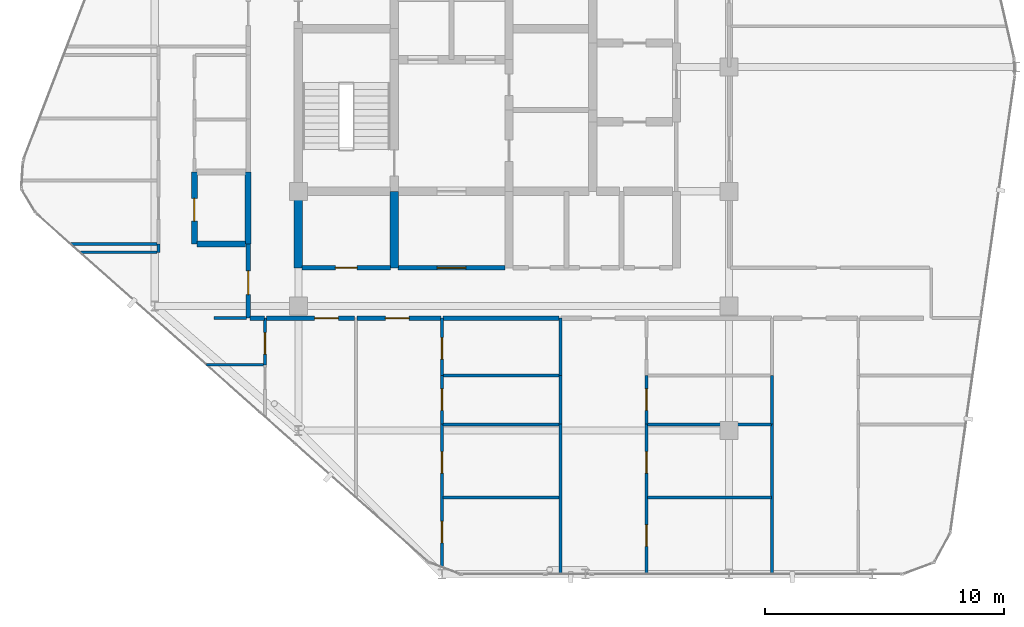
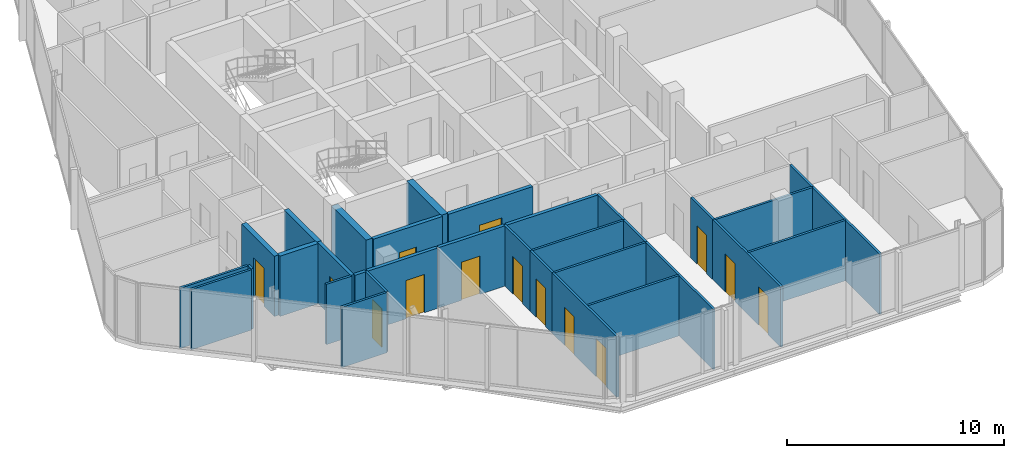
# One storey, part 22 of 28: 33 walls, 14 doors, 14 openings.
"""IFC4 building model written with IfcOpenShell, lengths in metres."""

import ifcopenshell
import ifcopenshell.guid

model = None  # the IFC model being written
_history = None  # IfcOwnerHistory: only IFC2X3 demands one
_inside = {}  # id of a spatial element -> (the spatial element, [elements in it])
_under = {}  # id of a project, library or spatial element -> (it, [spatial elements below it])
_declared = {}  # id of a project -> (the project, [libraries it declares])
_typed = {}  # id of a type object -> (the type object, [elements of that type])
_made_of = {}  # id of a material, layer set ... -> (it, [elements and type objects made of it])


def new_model(schema):
    """Start an empty IFC model of exactly this schema.

    Asked for "IFC4X3", IfcOpenShell would pick the latest addendum, in which some entities
    have other attributes; the version numbers below select the first issue.
    IFC2X3 requires an IfcOwnerHistory on every rooted entity: one is made here for all.
    """
    global model, _history
    if schema == "IFC4X3":
        model = ifcopenshell.file(schema_version=(4, 3, 0, 0))
    else:
        model = ifcopenshell.file(schema=schema)
    _inside.clear()
    _under.clear()
    _declared.clear()
    _typed.clear()
    _made_of.clear()
    _history = None
    if model.schema == "IFC2X3":
        org = make("IfcOrganization", Name="unknown")
        user = make(
            "IfcPersonAndOrganization",
            ThePerson=make("IfcPerson", FamilyName="unknown"),
            TheOrganization=org,
        )
        app = make(
            "IfcApplication",
            ApplicationDeveloper=org,
            Version="unknown",
            ApplicationFullName="unknown",
            ApplicationIdentifier="unknown",
        )
        _history = make(
            "IfcOwnerHistory",
            OwningUser=user,
            OwningApplication=app,
            ChangeAction="ADDED",
            CreationDate=0,
        )
    return model


def make(cls, **values):
    """One entity of the class cls with the attributes given. An attribute that is None is left unset."""
    return model.create_entity(
        cls, **{name: value for name, value in values.items() if value is not None}
    )


def rooted(cls, **values):
    """An entity with a GlobalId (a new one), such as an element, a storey or a relation."""
    return make(cls, GlobalId=ifcopenshell.guid.new(), OwnerHistory=_history, **values)


def si_unit(unit_type, name, prefix=None):
    """IfcSIUnit, for example si_unit("LENGTHUNIT", "METRE", prefix="MILLI")."""
    return make("IfcSIUnit", UnitType=unit_type, Prefix=prefix, Name=name)


def assignment(units):
    """IfcUnitAssignment: the units of a project."""
    return None if units is None else make("IfcUnitAssignment", Units=units)


def point(xyz):
    """IfcCartesianPoint."""
    return None if xyz is None else make("IfcCartesianPoint", Coordinates=xyz)


def direction(xyz):
    """IfcDirection."""
    return None if xyz is None else make("IfcDirection", DirectionRatios=xyz)


def frame(location, z_axis=None, x_axis=None):
    """IfcAxis2Placement3D, a coordinate frame: its origin and axes. An axis left out is left unset."""
    return make(
        "IfcAxis2Placement3D",
        Location=point(location),
        Axis=direction(z_axis),
        RefDirection=direction(x_axis),
    )


def frame_2d(location, x_axis=None):
    """IfcAxis2Placement2D, a coordinate frame in the plane: its origin and x axis."""
    return make(
        "IfcAxis2Placement2D", Location=point(location), RefDirection=direction(x_axis)
    )


def origin():
    """The frame at (0, 0, 0) with its axes left unset."""
    return frame((0.0, 0.0, 0.0))


def place(relative_to, where):
    """IfcLocalPlacement: puts the frame where relative to a parent placement (None: the world)."""
    return make(
        "IfcLocalPlacement", PlacementRelTo=relative_to, RelativePlacement=where
    )


def context(
    kind, dimensions, precision=None, world=None, true_north=None, identifier=None
):
    """IfcGeometricRepresentationContext, for example the 3D "Model" context."""
    return make(
        "IfcGeometricRepresentationContext",
        ContextIdentifier=identifier,
        ContextType=kind,
        CoordinateSpaceDimension=dimensions,
        Precision=precision,
        WorldCoordinateSystem=world,
        TrueNorth=true_north,
    )


def subcontext(parent, identifier, kind, view, scale=None):
    """IfcGeometricRepresentationSubContext, for example "Body" below "Model"."""
    return make(
        "IfcGeometricRepresentationSubContext",
        ContextIdentifier=identifier,
        ContextType=kind,
        ParentContext=parent,
        TargetScale=scale,
        TargetView=view,
    )


def project(units=None, contexts=None):
    """IfcProject with its units and contexts."""
    return rooted(
        "IfcProject",
        Name="project",
        RepresentationContexts=contexts,
        UnitsInContext=assignment(units),
    )


def spatial(cls, under=None, at=None, **own):
    """A site, building, storey or space (cls), placed at a placement, below another one or the project."""
    s = rooted(cls, ObjectPlacement=at, **own)
    if under is not None:
        _under.setdefault(under.id(), (under, []))[1].append(s)
    return s


def profile(cls, at=None, kind="AREA", **sizes):
    """A parametric profile (cls). Its sizes go by their IFC names, for example OverallWidth=200.0."""
    return make(cls, ProfileType=kind, Position=at, **sizes)


def rectangle(**sizes):
    """IfcRectangleProfileDef."""
    return profile("IfcRectangleProfileDef", **sizes)


def extrude(swept, where, along, depth):
    """IfcExtrudedAreaSolid: the profile swept, set in the frame where, extruded along a direction by depth."""
    return make(
        "IfcExtrudedAreaSolid",
        SweptArea=swept,
        Position=where,
        ExtrudedDirection=direction(along),
        Depth=depth,
    )


def shape(context_of_items, identifier, shape_type, items):
    """IfcShapeRepresentation: the items that make up one representation, for example the "Body"."""
    return make(
        "IfcShapeRepresentation",
        ContextOfItems=context_of_items,
        RepresentationIdentifier=identifier,
        RepresentationType=shape_type,
        Items=items,
    )


def material(Name=None, Category=None):
    """IfcMaterial."""
    return make("IfcMaterial", Name=Name, Category=Category)


def layer(
    of_material, thickness, ventilated=None, Name=None, Category=None, Priority=None
):
    """IfcMaterialLayer: one layer of a wall or slab, of a material (None: an air gap)."""
    return make(
        "IfcMaterialLayer",
        Material=of_material,
        LayerThickness=thickness,
        IsVentilated=ventilated,
        Name=Name,
        Category=Category,
        Priority=Priority,
    )


def layer_set(layers, Name=None):
    """IfcMaterialLayerSet."""
    return make("IfcMaterialLayerSet", MaterialLayers=layers, LayerSetName=Name)


def made_of(thing, what):
    """Note that an element or type object is made of a material, layer set ...; save() writes the relation."""
    if what is not None:
        _made_of.setdefault(what.id(), (what, []))[1].append(thing)
    return thing


def type_object(cls, material=None, **own):
    """A type object (cls), such as IfcWallType, which elements share."""
    return made_of(rooted(cls, **own), material)


def element(
    cls,
    number,
    at=None,
    inside=None,
    cuts=None,
    type_object=None,
    material=None,
    context=None,
    identifier="Body",
    shape_type=None,
    held_by="IfcProductDefinitionShape",
    body=None,
    shapes=None,
    **own,
):
    """One element of the class cls, such as IfcWall. Its Tag is "e" and its number.

    at: its placement. inside: the storey or other place that contains it. cuts: it is an
    opening in that element (IfcRelVoidsElement). A single representation is given by context,
    identifier, shape_type and body (its items); several are given by shapes. held_by: the class
    of the entity that holds the representations. save() writes the other relations.
    """
    e = rooted(cls, Tag="e%d" % number, ObjectPlacement=at, **own)
    if body is not None:
        shapes = [shape(context, identifier, shape_type, body)]
    if shapes is not None:
        e.Representation = make(held_by, Representations=shapes)
    if inside is not None:
        _inside.setdefault(inside.id(), (inside, []))[1].append(e)
    if cuts is not None:
        rooted(
            "IfcRelVoidsElement", RelatingBuildingElement=cuts, RelatedOpeningElement=e
        )
    if type_object is not None:
        _typed.setdefault(type_object.id(), (type_object, []))[1].append(e)
    return made_of(e, material)


def fill(opening, filler):
    """IfcRelFillsElement: the door or window that sits in an opening."""
    return rooted(
        "IfcRelFillsElement",
        RelatingOpeningElement=opening,
        RelatedBuildingElement=filler,
    )


def aggregate(whole, parts):
    """IfcRelAggregates: a whole, such as a stair, and the parts it consists of."""
    return rooted("IfcRelAggregates", RelatingObject=whole, RelatedObjects=parts)


def save(model, path):
    """Write the relations noted so far, then the file.

    IfcRelAggregates (storeys below a building ...), IfcRelContainedInSpatialStructure (elements
    in a storey), IfcRelDefinesByType, IfcRelAssociatesMaterial and IfcRelDeclares: one each for
    every whole, place, type object, material and project.
    """
    for whole, parts in _under.values():
        aggregate(whole, parts)
    for where, things in _inside.values():
        rooted(
            "IfcRelContainedInSpatialStructure",
            RelatedElements=things,
            RelatingStructure=where,
        )
    for kind, things in _typed.values():
        rooted("IfcRelDefinesByType", RelatedObjects=things, RelatingType=kind)
    for what, things in _made_of.values():
        rooted("IfcRelAssociatesMaterial", RelatedObjects=things, RelatingMaterial=what)
    for by, libraries in _declared.values():
        rooted("IfcRelDeclares", RelatingContext=by, RelatedDefinitions=libraries)
    model.write(path)


model = new_model("IFC4")

# Units and contexts
model_context = context("Model", 3, precision=1e-05, world=origin(), true_north=direction((0.0, 1.0)))
body_context = subcontext(model_context, "Body", "Model", "MODEL_VIEW")
ifc_project = project(units=[si_unit("LENGTHUNIT", "METRE"), si_unit("AREAUNIT", "SQUARE_METRE"), si_unit("VOLUMEUNIT", "CUBIC_METRE"), si_unit("PLANEANGLEUNIT", "RADIAN"), si_unit("MASSUNIT", "GRAM", prefix="KILO")], contexts=[model_context])

# Site, building, storey
site_placement = place(None, origin())
site = spatial("IfcSite", under=ifc_project, at=site_placement, CompositionType="ELEMENT")
building_placement = place(site_placement, origin())
building = spatial("IfcBuilding", under=site, at=building_placement, Name="Keshet Zoharim Tower", CompositionType="ELEMENT")
storey_placement = place(building_placement, frame((0.0, 0.0, 251.0)))
storey = spatial("IfcBuildingStorey", under=building, at=storey_placement, Name="L62", CompositionType="ELEMENT", Elevation=251.0)

# Walls
ifc_material_1 = material(Name="Concrete C60/75", Category="concrete")
ifc_layer_1 = layer(ifc_material_1, 0.35009765625)
ifc_layer_set_1 = layer_set([ifc_layer_1], Name="Concrete C60/75")
wall_type_1 = type_object("IfcWallType", Name="WL-CORE-350", PredefinedType="SHEAR", material=ifc_layer_set_1)
for number, where, z_axis, x_axis, name in (
    (1, (15.0, 19.5, 0.0), (0.0, 0.0, 1.0), (0.0, 1.0, 0.0), "L62 Core Shear Wall 020"),
    (2, (19.0, 19.5, 0.0), (0.0, 0.0, 1.0), (0.0, 1.0, 0.0), "L62 Core Shear Wall 027"),
):
    element("IfcWall", number, at=place(storey_placement, frame(where, z_axis=z_axis, x_axis=x_axis)), inside=storey, type_object=wall_type_1, Name=name, PredefinedType="SHEAR", context=body_context, shape_type="SweptSolid", body=[
        extrude(rectangle(XDim=3.199951171875, YDim=0.35009765625, at=frame_2d((1.60009765625, 0.0))), origin(), (0.0, 0.0, 1.0), 3.389892578125),
    ])

# Wall, opening, door
ifc_material_2 = material(Name="Gypsum Plasterboard", Category="gypsum")
ifc_layer_2 = layer(ifc_material_2, 0.179931640625)
ifc_layer_set_2 = layer_set([ifc_layer_2], Name="Gypsum Plasterboard")
wall_type_2 = type_object("IfcWallType", Name="WL-CORR-180", PredefinedType="STANDARD", material=ifc_layer_set_2)
wall_1_placement = place(storey_placement, frame((12.89990234375, 17.39990234375, 0.0), z_axis=(0.0, 0.0, 1.0), x_axis=(0.0, 1.0, 0.0)))
wall_1 = element("IfcWall", 3, at=wall_1_placement, inside=storey, type_object=wall_type_2, Name="L62 Interior Wall 010", PredefinedType="STANDARD", context=body_context, shape_type="SweptSolid", body=[
    extrude(rectangle(XDim=3.10009765625, YDim=0.179931640625, at=frame_2d((1.550048828125, 0.0))), origin(), (0.0, 0.0, 1.0), 3.389892578125),
])
opening_1_placement = place(wall_1_placement, frame((0.97802734375, 0.0, 0.0)))
opening_1 = element("IfcOpeningElement", 4, at=opening_1_placement, cuts=wall_1, Name="Opening D-F310", PredefinedType="OPENING", context=body_context, shape_type="SweptSolid", body=[
    extrude(rectangle(XDim=1.0, YDim=2.14990234375, at=frame_2d((0.5, 1.074951171875))), frame((0.0, 0.10009765625, 0.0), z_axis=(0.0, -1.0, 0.0), x_axis=(1.0, 0.0, 0.0)), (0.0, 0.0, 1.0), 0.199951171875),
])
ifc_material_3 = material(Name="Hardwood Timber", Category="wood")
door_type_1 = type_object("IfcDoorType", Name="DR-FD30-100", OperationType="NOTDEFINED", PredefinedType="DOOR", material=ifc_material_3)
door_1_placement = place(opening_1_placement, origin())
door_1 = element("IfcDoor", 5, at=door_1_placement, inside=storey, type_object=door_type_1, Name="Apartment 6207 Entrance Door", OperationType="SINGLE_SWING_RIGHT", OverallHeight=2.14990234375, OverallWidth=1.0, PredefinedType="DOOR", context=body_context, shape_type="SweptSolid", body=[
    extrude(rectangle(XDim=1.0, YDim=2.14990234375, at=frame_2d((0.5, 1.074951171875))), frame((0.0, 0.02490234375, 0.0), z_axis=(0.0, -1.0, 0.0), x_axis=(1.0, 0.0, 0.0)), (0.0, 0.0, 1.0), 0.050048828125),
])
fill(opening_1, door_1)

# Wall
wall_2_placement = place(storey_placement, frame((12.97509765625, 17.39990234375, 0.0), z_axis=(0.0, 0.0, 1.0), x_axis=(1.0, 0.0, 0.0)))
element("IfcWall", 6, at=wall_2_placement, inside=storey, type_object=wall_type_2, Name="L62 Interior Wall 106", PredefinedType="STANDARD", context=body_context, shape_type="SweptSolid", body=[
    extrude(rectangle(XDim=0.599853515625, YDim=0.179931640625, at=frame_2d((0.2998046875, 0.0))), origin(), (0.0, 0.0, 1.0), 3.389892578125),
])

# Wall, opening, door
wall_3_placement = place(storey_placement, frame((13.6650390625, 17.39990234375, 0.0), z_axis=(0.0, 0.0, 1.0), x_axis=(1.0, 0.0, 0.0)))
wall_3 = element("IfcWall", 7, at=wall_3_placement, inside=storey, type_object=wall_type_2, Name="L62 Interior Wall 107", PredefinedType="STANDARD", context=body_context, shape_type="SweptSolid", body=[
    extrude(rectangle(XDim=3.68994140625, YDim=0.179931640625, at=frame_2d((1.844970703125, 0.0))), origin(), (0.0, 0.0, 1.0), 3.389892578125),
])
opening_2_placement = place(wall_3_placement, frame((2.010009765625, 0.0, 0.0)))
opening_2 = element("IfcOpeningElement", 8, at=opening_2_placement, cuts=wall_3, Name="Opening D-F310", PredefinedType="OPENING", context=body_context, shape_type="SweptSolid", body=[
    extrude(rectangle(XDim=1.0, YDim=2.14990234375, at=frame_2d((0.5, 1.074951171875))), frame((0.0, 0.10009765625, 0.0), z_axis=(0.0, -1.0, 0.0), x_axis=(1.0, 0.0, 0.0)), (0.0, 0.0, 1.0), 0.199951171875),
])
door_2_placement = place(opening_2_placement, origin())
door_2 = element("IfcDoor", 9, at=door_2_placement, inside=storey, type_object=door_type_1, Name="Apartment 6201 Entrance Door", OperationType="SINGLE_SWING_RIGHT", OverallHeight=2.14990234375, OverallWidth=1.0, PredefinedType="DOOR", context=body_context, shape_type="SweptSolid", body=[
    extrude(rectangle(XDim=1.0, YDim=2.14990234375, at=frame_2d((0.5, 1.074951171875))), frame((0.0, 0.02490234375, 0.0), z_axis=(0.0, -1.0, 0.0), x_axis=(1.0, 0.0, 0.0)), (0.0, 0.0, 1.0), 0.050048828125),
])
fill(opening_2, door_2)

wall_4_placement = place(storey_placement, frame((17.445068359375, 17.39990234375, 0.0), z_axis=(0.0, 0.0, 1.0), x_axis=(1.0, 0.0, 0.0)))
wall_4 = element("IfcWall", 10, at=wall_4_placement, inside=storey, type_object=wall_type_2, Name="L62 Interior Wall 108", PredefinedType="STANDARD", context=body_context, shape_type="SweptSolid", body=[
    extrude(rectangle(XDim=3.510009765625, YDim=0.179931640625, at=frame_2d((1.7548828125, 0.0))), origin(), (0.0, 0.0, 1.0), 3.389892578125),
])
opening_3_placement = place(wall_4_placement, frame((1.18505859375, 0.0, 0.0)))
opening_3 = element("IfcOpeningElement", 11, at=opening_3_placement, cuts=wall_4, Name="Opening D-F310", PredefinedType="OPENING", context=body_context, shape_type="SweptSolid", body=[
    extrude(rectangle(XDim=1.0, YDim=2.14990234375, at=frame_2d((0.5, 1.074951171875))), frame((0.0, 0.10009765625, 0.0), z_axis=(0.0, -1.0, 0.0), x_axis=(1.0, 0.0, 0.0)), (0.0, 0.0, 1.0), 0.199951171875),
])
door_3_placement = place(opening_3_placement, origin())
door_3 = element("IfcDoor", 12, at=door_3_placement, inside=storey, type_object=door_type_1, Name="Apartment 6202 Entrance Door", OperationType="SINGLE_SWING_LEFT", OverallHeight=2.14990234375, OverallWidth=1.0, PredefinedType="DOOR", context=body_context, shape_type="SweptSolid", body=[
    extrude(rectangle(XDim=1.0, YDim=2.14990234375, at=frame_2d((0.5, 1.074951171875))), frame((0.0, 0.02490234375, 0.0), z_axis=(0.0, -1.0, 0.0), x_axis=(1.0, 0.0, 0.0)), (0.0, 0.0, 1.0), 0.050048828125),
])
fill(opening_3, door_3)

# Wall
wall_5_placement = place(storey_placement, frame((21.044921875, 17.39990234375, 0.0), z_axis=(0.0, 0.0, 1.0), x_axis=(1.0, 0.0, 0.0)))
element("IfcWall", 13, at=wall_5_placement, inside=storey, type_object=wall_type_2, Name="L62 Interior Wall 109", PredefinedType="STANDARD", context=body_context, shape_type="SweptSolid", body=[
    extrude(rectangle(XDim=4.85009765625, YDim=0.179931640625, at=frame_2d((2.425048828125, 0.0))), origin(), (0.0, 0.0, 1.0), 3.389892578125),
])

# Wall, opening, door
ifc_material_4 = material(Name="Concrete C50/60", Category="concrete")
ifc_layer_3 = layer(ifc_material_4, 0.199951171875)
ifc_layer_set_3 = layer_set([ifc_layer_3], Name="Concrete C50/60")
wall_type_3 = type_object("IfcWallType", Name="WL-FIRE-200", PredefinedType="STANDARD", material=ifc_layer_set_3)
wall_6_placement = place(storey_placement, frame((15.159912109375, 19.5, 0.0), z_axis=(0.0, 0.0, 1.0), x_axis=(1.0, 0.0, 0.0)))
wall_6 = element("IfcWall", 14, at=wall_6_placement, inside=storey, type_object=wall_type_3, Name="L62 Interior Wall 115", PredefinedType="STANDARD", context=body_context, shape_type="SweptSolid", body=[
    extrude(rectangle(XDim=3.68017578125, YDim=0.199951171875, at=frame_2d((1.840087890625, 0.0))), origin(), (0.0, 0.0, 1.0), 3.389892578125),
])
opening_4_placement = place(wall_6_placement, frame((1.389892578125, 0.0, 0.0)))
opening_4 = element("IfcOpeningElement", 15, at=opening_4_placement, cuts=wall_6, Name="Opening D-F690", PredefinedType="OPENING", context=body_context, shape_type="SweptSolid", body=[
    extrude(rectangle(XDim=0.89990234375, YDim=2.14990234375, at=frame_2d((0.449951171875, 1.074951171875))), frame((0.0, 0.10986328125, 0.0), z_axis=(0.0, -1.0, 0.0), x_axis=(1.0, 0.0, 0.0)), (0.0, 0.0, 1.0), 0.219970703125),
])
door_type_2 = type_object("IfcDoorType", Name="DR-FD60-090", OperationType="NOTDEFINED", PredefinedType="DOOR", material=ifc_material_3)
door_4_placement = place(opening_4_placement, origin())
door_4 = element("IfcDoor", 16, at=door_4_placement, inside=storey, type_object=door_type_2, Name="L62 Pram Store Door", OperationType="SINGLE_SWING_RIGHT", OverallHeight=2.14990234375, OverallWidth=0.89990234375, PredefinedType="DOOR", context=body_context, shape_type="SweptSolid", body=[
    extrude(rectangle(XDim=0.89990234375, YDim=2.14990234375, at=frame_2d((0.449951171875, 1.074951171875))), frame((0.0, 0.02490234375, 0.0), z_axis=(0.0, -1.0, 0.0), x_axis=(1.0, 0.0, 0.0)), (0.0, 0.0, 1.0), 0.050048828125),
])
fill(opening_4, door_4)

wall_7_placement = place(storey_placement, frame((19.159912109375, 19.5, 0.0), z_axis=(0.0, 0.0, 1.0), x_axis=(1.0, 0.0, 0.0)))
wall_7 = element("IfcWall", 17, at=wall_7_placement, inside=storey, type_object=wall_type_3, Name="L62 Interior Wall 116", PredefinedType="STANDARD", context=body_context, shape_type="SweptSolid", body=[
    extrude(rectangle(XDim=4.47998046875, YDim=0.199951171875, at=frame_2d((2.239990234375, 0.0))), origin(), (0.0, 0.0, 1.0), 3.389892578125),
])
opening_5_placement = place(wall_7_placement, frame((1.639892578125, 0.0, 0.0)))
opening_5 = element("IfcOpeningElement", 18, at=opening_5_placement, cuts=wall_7, Name="Opening D-F612", PredefinedType="OPENING", context=body_context, shape_type="SweptSolid", body=[
    extrude(rectangle(XDim=1.199951171875, YDim=2.199951171875, at=frame_2d((0.60009765625, 1.10009765625))), frame((0.0, 0.10986328125, 0.0), z_axis=(0.0, -1.0, 0.0), x_axis=(1.0, 0.0, 0.0)), (0.0, 0.0, 1.0), 0.219970703125),
])
door_type_3 = type_object("IfcDoorType", Name="DR-FD60-120", OperationType="NOTDEFINED", PredefinedType="DOOR", material=ifc_material_3)
door_5_placement = place(opening_5_placement, origin())
door_5 = element("IfcDoor", 19, at=door_5_placement, inside=storey, type_object=door_type_3, Name="L62 South Vestibule Corridor Door", OperationType="SINGLE_SWING_LEFT", OverallHeight=2.199951171875, OverallWidth=1.199951171875, PredefinedType="DOOR", context=body_context, shape_type="SweptSolid", body=[
    extrude(rectangle(XDim=1.199951171875, YDim=2.199951171875, at=frame_2d((0.60009765625, 1.10009765625))), frame((0.0, 0.02490234375, 0.0), z_axis=(0.0, -1.0, 0.0), x_axis=(1.0, 0.0, 0.0)), (0.0, 0.0, 1.0), 0.050048828125),
])
fill(opening_5, door_5)

ifc_layer_4 = layer(ifc_material_4, 0.25)
ifc_layer_set_4 = layer_set([ifc_layer_4], Name="Concrete C50/60")
wall_type_4 = type_object("IfcWallType", Name="WL-MAMAD-250", PredefinedType="STANDARD", material=ifc_layer_set_4)
wall_8_placement = place(storey_placement, frame((10.64990234375, 20.5, 0.0), z_axis=(0.0, 0.0, 1.0), x_axis=(0.0, 1.0, 0.0)))
wall_8 = element("IfcWall", 20, at=wall_8_placement, inside=storey, type_object=wall_type_4, Name="L62 Interior Wall 006", PredefinedType="STANDARD", context=body_context, shape_type="SweptSolid", body=[
    extrude(rectangle(XDim=3.001953125, YDim=0.25, at=frame_2d((1.5009765625, 0.0))), origin(), (0.0, 0.0, 1.0), 3.389892578125),
])
opening_6_placement = place(wall_8_placement, frame((0.9560546875, 0.0, 0.0)))
opening_6 = element("IfcOpeningElement", 21, at=opening_6_placement, cuts=wall_8, Name="Opening D-F695", PredefinedType="OPENING", context=body_context, shape_type="SweptSolid", body=[
    extrude(rectangle(XDim=0.949951171875, YDim=2.14990234375, at=frame_2d((0.47509765625, 1.074951171875))), frame((0.0, 0.135009765625, 0.0), z_axis=(0.0, -1.0, 0.0), x_axis=(1.0, 0.0, 0.0)), (0.0, 0.0, 1.0), 0.27001953125),
])
door_type_4 = type_object("IfcDoorType", Name="DR-FD60-095", OperationType="NOTDEFINED", PredefinedType="DOOR", material=ifc_material_3)
door_6_placement = place(opening_6_placement, origin())
door_6 = element("IfcDoor", 22, at=door_6_placement, inside=storey, type_object=door_type_4, Name="Apartment 6207 Study and Shelter Room Door", OperationType="SINGLE_SWING_LEFT", OverallHeight=2.14990234375, OverallWidth=0.949951171875, PredefinedType="DOOR", context=body_context, shape_type="SweptSolid", body=[
    extrude(rectangle(XDim=0.949951171875, YDim=2.14990234375, at=frame_2d((0.47509765625, 1.074951171875))), frame((0.0, 0.02490234375, 0.0), z_axis=(0.0, -1.0, 0.0), x_axis=(1.0, 0.0, 0.0)), (0.0, 0.0, 1.0), 0.050048828125),
])
fill(opening_6, door_6)

# Walls
wall_9_placement = place(storey_placement, frame((12.89990234375, 20.5, 0.0), z_axis=(0.0, 0.0, 1.0), x_axis=(0.0, 1.0, 0.0)))
element("IfcWall", 23, at=wall_9_placement, inside=storey, type_object=wall_type_4, Name="L62 Interior Wall 011", PredefinedType="STANDARD", context=body_context, shape_type="SweptSolid", body=[
    extrude(rectangle(XDim=3.001953125, YDim=0.25, at=frame_2d((1.5009765625, 0.0))), origin(), (0.0, 0.0, 1.0), 3.389892578125),
])
wall_10_placement = place(storey_placement, frame((10.760009765625, 20.5, 0.0), z_axis=(0.0, 0.0, 1.0), x_axis=(1.0, 0.0, 0.0)))
element("IfcWall", 24, at=wall_10_placement, inside=storey, type_object=wall_type_4, Name="L62 Interior Wall 122", PredefinedType="STANDARD", context=body_context, shape_type="SweptSolid", body=[
    extrude(rectangle(XDim=2.030029296875, YDim=0.25, at=frame_2d((1.01513671875, 0.0))), origin(), (0.0, 0.0, 1.0), 3.389892578125),
])
ifc_layer_5 = layer(ifc_material_2, 0.1201171875)
ifc_layer_set_5 = layer_set([ifc_layer_5], Name="Gypsum Plasterboard")
wall_type_5 = type_object("IfcWallType", Name="WL-PART-120", PredefinedType="PARTITIONING", material=ifc_layer_set_5)
wall_11_placement = place(storey_placement, frame((9.14990234375, 20.14990234375, 0.0), z_axis=(0.0, 0.0, 1.0), x_axis=(0.0, 1.0, 0.0)))
element("IfcWall", 25, at=wall_11_placement, inside=storey, type_object=wall_type_5, Name="L62 Interior Wall 002", PredefinedType="PARTITIONING", context=body_context, shape_type="SweptSolid", body=[
    extrude(rectangle(XDim=0.35009765625, YDim=0.1201171875, at=frame_2d((0.175048828125, 0.0))), origin(), (0.0, 0.0, 1.0), 3.389892578125),
])

# Wall, opening, door
wall_12_placement = place(storey_placement, frame((13.60009765625, 15.449951171875, 0.0), z_axis=(0.0, 0.0, 1.0), x_axis=(0.0, 1.0, 0.0)))
wall_12 = element("IfcWall", 26, at=wall_12_placement, inside=storey, type_object=wall_type_5, Name="L62 Interior Wall 018", PredefinedType="PARTITIONING", context=body_context, shape_type="SweptSolid", body=[
    extrude(rectangle(XDim=1.949951171875, YDim=0.1201171875, at=frame_2d((0.97509765625, 0.0))), origin(), (0.0, 0.0, 1.0), 3.389892578125),
])
opening_7_placement = place(wall_12_placement, frame((0.44189453125, 0.0, 0.0)))
opening_7 = element("IfcOpeningElement", 27, at=opening_7_placement, cuts=wall_12, Name="Opening D-IN90", PredefinedType="OPENING", context=body_context, shape_type="SweptSolid", body=[
    extrude(rectangle(XDim=0.89990234375, YDim=2.14990234375, at=frame_2d((0.449951171875, 1.074951171875))), frame((0.0, 0.070068359375, 0.0), z_axis=(0.0, -1.0, 0.0), x_axis=(1.0, 0.0, 0.0)), (0.0, 0.0, 1.0), 0.14013671875),
])
door_type_5 = type_object("IfcDoorType", Name="DR-INT-090", OperationType="NOTDEFINED", PredefinedType="DOOR", material=ifc_material_3)
door_7_placement = place(opening_7_placement, origin())
door_7 = element("IfcDoor", 28, at=door_7_placement, inside=storey, type_object=door_type_5, Name="Apartment 6201 Kitchenette Door", OperationType="SINGLE_SWING_LEFT", OverallHeight=2.14990234375, OverallWidth=0.89990234375, PredefinedType="DOOR", context=body_context, shape_type="SweptSolid", body=[
    extrude(rectangle(XDim=0.89990234375, YDim=2.14990234375, at=frame_2d((0.449951171875, 1.074951171875))), frame((0.0, 0.02490234375, 0.0), z_axis=(0.0, -1.0, 0.0), x_axis=(1.0, 0.0, 0.0)), (0.0, 0.0, 1.0), 0.050048828125),
])
fill(opening_7, door_7)

# Wall, openings, doors
wall_13_placement = place(storey_placement, frame((21.0, 6.9990234375, 0.0), z_axis=(0.0, 0.0, 1.0), x_axis=(0.0, 1.0, 0.0)))
wall_13 = element("IfcWall", 29, at=wall_13_placement, inside=storey, type_object=wall_type_5, Name="L62 Interior Wall 035", PredefinedType="PARTITIONING", context=body_context, shape_type="SweptSolid", body=[
    extrude(rectangle(XDim=5.970947265625, YDim=0.1201171875, at=frame_2d((2.9853515625, 0.0))), origin(), (0.0, 0.0, 1.0), 3.389892578125),
])
opening_8_placement = place(wall_13_placement, frame((1.008056640625, 0.0, 0.0)))
opening_8 = element("IfcOpeningElement", 30, at=opening_8_placement, cuts=wall_13, Name="Opening D-IN90", PredefinedType="OPENING", context=body_context, shape_type="SweptSolid", body=[
    extrude(rectangle(XDim=0.89990234375, YDim=2.14990234375, at=frame_2d((0.449951171875, 1.074951171875))), frame((0.0, 0.070068359375, 0.0), z_axis=(0.0, -1.0, 0.0), x_axis=(1.0, 0.0, 0.0)), (0.0, 0.0, 1.0), 0.14013671875),
])
opening_9_placement = place(wall_13_placement, frame((3.91796875, 0.0, 0.0)))
opening_9 = element("IfcOpeningElement", 31, at=opening_9_placement, cuts=wall_13, Name="Opening D-IN90", PredefinedType="OPENING", context=body_context, shape_type="SweptSolid", body=[
    extrude(rectangle(XDim=0.89990234375, YDim=2.14990234375, at=frame_2d((0.449951171875, 1.074951171875))), frame((0.0, 0.070068359375, 0.0), z_axis=(0.0, -1.0, 0.0), x_axis=(1.0, 0.0, 0.0)), (0.0, 0.0, 1.0), 0.14013671875),
])
door_8_placement = place(opening_8_placement, origin())
door_8 = element("IfcDoor", 32, at=door_8_placement, inside=storey, type_object=door_type_5, Name="Apartment 6202 Bedroom 1 Door", OperationType="SINGLE_SWING_LEFT", OverallHeight=2.14990234375, OverallWidth=0.89990234375, PredefinedType="DOOR", context=body_context, shape_type="SweptSolid", body=[
    extrude(rectangle(XDim=0.89990234375, YDim=2.14990234375, at=frame_2d((0.449951171875, 1.074951171875))), frame((0.0, 0.02490234375, 0.0), z_axis=(0.0, -1.0, 0.0), x_axis=(1.0, 0.0, 0.0)), (0.0, 0.0, 1.0), 0.050048828125),
])
fill(opening_8, door_8)
door_9_placement = place(opening_9_placement, origin())
door_9 = element("IfcDoor", 33, at=door_9_placement, inside=storey, type_object=door_type_5, Name="Apartment 6202 Bedroom 2 Door", OperationType="SINGLE_SWING_RIGHT", OverallHeight=2.14990234375, OverallWidth=0.89990234375, PredefinedType="DOOR", context=body_context, shape_type="SweptSolid", body=[
    extrude(rectangle(XDim=0.89990234375, YDim=2.14990234375, at=frame_2d((0.449951171875, 1.074951171875))), frame((0.0, 0.02490234375, 0.0), z_axis=(0.0, -1.0, 0.0), x_axis=(1.0, 0.0, 0.0)), (0.0, 0.0, 1.0), 0.050048828125),
])
fill(opening_9, door_9)

# Wall, opening, door
wall_14_placement = place(storey_placement, frame((21.0, 12.969970703125, 0.0), z_axis=(0.0, 0.0, 1.0), x_axis=(0.0, 1.0, 0.0)))
wall_14 = element("IfcWall", 34, at=wall_14_placement, inside=storey, type_object=wall_type_5, Name="L62 Interior Wall 036", PredefinedType="PARTITIONING", context=body_context, shape_type="SweptSolid", body=[
    extrude(rectangle(XDim=2.0380859375, YDim=0.1201171875, at=frame_2d((1.01904296875, 0.0))), origin(), (0.0, 0.0, 1.0), 3.389892578125),
])
opening_10_placement = place(wall_14_placement, frame((0.569091796875, 0.0, 0.0)))
opening_10 = element("IfcOpeningElement", 35, at=opening_10_placement, cuts=wall_14, Name="Opening D-IN90", PredefinedType="OPENING", context=body_context, shape_type="SweptSolid", body=[
    extrude(rectangle(XDim=0.89990234375, YDim=2.14990234375, at=frame_2d((0.449951171875, 1.074951171875))), frame((0.0, 0.070068359375, 0.0), z_axis=(0.0, -1.0, 0.0), x_axis=(1.0, 0.0, 0.0)), (0.0, 0.0, 1.0), 0.14013671875),
])
door_10_placement = place(opening_10_placement, origin())
door_10 = element("IfcDoor", 36, at=door_10_placement, inside=storey, type_object=door_type_5, Name="Apartment 6202 Kitchen Door", OperationType="SINGLE_SWING_LEFT", OverallHeight=2.14990234375, OverallWidth=0.89990234375, PredefinedType="DOOR", context=body_context, shape_type="SweptSolid", body=[
    extrude(rectangle(XDim=0.89990234375, YDim=2.14990234375, at=frame_2d((0.449951171875, 1.074951171875))), frame((0.0, 0.02490234375, 0.0), z_axis=(0.0, -1.0, 0.0), x_axis=(1.0, 0.0, 0.0)), (0.0, 0.0, 1.0), 0.050048828125),
])
fill(opening_10, door_10)

# Walls
wall_15_placement = place(storey_placement, frame((25.949951171875, 6.7099609375, 0.0), z_axis=(0.0, 0.0, 1.0), x_axis=(0.0, 1.0, 0.0)))
element("IfcWall", 37, at=wall_15_placement, inside=storey, type_object=wall_type_5, Name="L62 Interior Wall 050", PredefinedType="PARTITIONING", context=body_context, shape_type="SweptSolid", body=[
    extrude(rectangle(XDim=6.260009765625, YDim=0.1201171875, at=frame_2d((3.1298828125, 0.0))), origin(), (0.0, 0.0, 1.0), 3.389892578125),
])
wall_16_placement = place(storey_placement, frame((25.949951171875, 12.969970703125, 0.0), z_axis=(0.0, 0.0, 1.0), x_axis=(0.0, 1.0, 0.0)))
element("IfcWall", 38, at=wall_16_placement, inside=storey, type_object=wall_type_5, Name="L62 Interior Wall 051", PredefinedType="PARTITIONING", context=body_context, shape_type="SweptSolid", body=[
    extrude(rectangle(XDim=2.0380859375, YDim=0.1201171875, at=frame_2d((1.01904296875, 0.0))), origin(), (0.0, 0.0, 1.0), 3.389892578125),
])

# Wall, openings, doors
wall_17_placement = place(storey_placement, frame((29.550048828125, 6.7099609375, 0.0), z_axis=(0.0, 0.0, 1.0), x_axis=(0.0, 1.0, 0.0)))
wall_17 = element("IfcWall", 39, at=wall_17_placement, inside=storey, type_object=wall_type_5, Name="L62 Interior Wall 062", PredefinedType="PARTITIONING", context=body_context, shape_type="SweptSolid", body=[
    extrude(rectangle(XDim=6.260009765625, YDim=0.1201171875, at=frame_2d((3.1298828125, 0.0))), origin(), (0.0, 0.0, 1.0), 3.389892578125),
])
opening_11_placement = place(wall_17_placement, frame((1.153076171875, 0.0, 0.0)))
opening_11 = element("IfcOpeningElement", 40, at=opening_11_placement, cuts=wall_17, Name="Opening D-IN90", PredefinedType="OPENING", context=body_context, shape_type="SweptSolid", body=[
    extrude(rectangle(XDim=0.89990234375, YDim=2.14990234375, at=frame_2d((0.449951171875, 1.074951171875))), frame((0.0, 0.070068359375, 0.0), z_axis=(0.0, -1.0, 0.0), x_axis=(1.0, 0.0, 0.0)), (0.0, 0.0, 1.0), 0.14013671875),
])
opening_12_placement = place(wall_17_placement, frame((4.20703125, 0.0, 0.0)))
opening_12 = element("IfcOpeningElement", 41, at=opening_12_placement, cuts=wall_17, Name="Opening D-IN90", PredefinedType="OPENING", context=body_context, shape_type="SweptSolid", body=[
    extrude(rectangle(XDim=0.89990234375, YDim=2.14990234375, at=frame_2d((0.449951171875, 1.074951171875))), frame((0.0, 0.070068359375, 0.0), z_axis=(0.0, -1.0, 0.0), x_axis=(1.0, 0.0, 0.0)), (0.0, 0.0, 1.0), 0.14013671875),
])
door_11_placement = place(opening_11_placement, origin())
door_11 = element("IfcDoor", 42, at=door_11_placement, inside=storey, type_object=door_type_5, Name="Apartment 6203 Bedroom 1 Door", OperationType="SINGLE_SWING_RIGHT", OverallHeight=2.14990234375, OverallWidth=0.89990234375, PredefinedType="DOOR", context=body_context, shape_type="SweptSolid", body=[
    extrude(rectangle(XDim=0.89990234375, YDim=2.14990234375, at=frame_2d((0.449951171875, 1.074951171875))), frame((0.0, 0.02490234375, 0.0), z_axis=(0.0, -1.0, 0.0), x_axis=(1.0, 0.0, 0.0)), (0.0, 0.0, 1.0), 0.050048828125),
])
fill(opening_11, door_11)
door_12_placement = place(opening_12_placement, origin())
door_12 = element("IfcDoor", 43, at=door_12_placement, inside=storey, type_object=door_type_5, Name="Apartment 6203 Bedroom 2 Door", OperationType="SINGLE_SWING_LEFT", OverallHeight=2.14990234375, OverallWidth=0.89990234375, PredefinedType="DOOR", context=body_context, shape_type="SweptSolid", body=[
    extrude(rectangle(XDim=0.89990234375, YDim=2.14990234375, at=frame_2d((0.449951171875, 1.074951171875))), frame((0.0, 0.02490234375, 0.0), z_axis=(0.0, -1.0, 0.0), x_axis=(1.0, 0.0, 0.0)), (0.0, 0.0, 1.0), 0.050048828125),
])
fill(opening_12, door_12)

# Wall, opening, door
wall_18_placement = place(storey_placement, frame((29.550048828125, 12.969970703125, 0.0), z_axis=(0.0, 0.0, 1.0), x_axis=(0.0, 1.0, 0.0)))
wall_18 = element("IfcWall", 44, at=wall_18_placement, inside=storey, type_object=wall_type_5, Name="L62 Interior Wall 063", PredefinedType="PARTITIONING", context=body_context, shape_type="SweptSolid", body=[
    extrude(rectangle(XDim=2.0380859375, YDim=0.1201171875, at=frame_2d((1.01904296875, 0.0))), origin(), (0.0, 0.0, 1.0), 3.389892578125),
])
opening_13_placement = place(wall_18_placement, frame((0.569091796875, 0.0, 0.0)))
opening_13 = element("IfcOpeningElement", 45, at=opening_13_placement, cuts=wall_18, Name="Opening D-IN90", PredefinedType="OPENING", context=body_context, shape_type="SweptSolid", body=[
    extrude(rectangle(XDim=0.89990234375, YDim=2.14990234375, at=frame_2d((0.449951171875, 1.074951171875))), frame((0.0, 0.070068359375, 0.0), z_axis=(0.0, -1.0, 0.0), x_axis=(1.0, 0.0, 0.0)), (0.0, 0.0, 1.0), 0.14013671875),
])
door_13_placement = place(opening_13_placement, origin())
door_13 = element("IfcDoor", 46, at=door_13_placement, inside=storey, type_object=door_type_5, Name="Apartment 6203 Kitchen Door", OperationType="SINGLE_SWING_RIGHT", OverallHeight=2.14990234375, OverallWidth=0.89990234375, PredefinedType="DOOR", context=body_context, shape_type="SweptSolid", body=[
    extrude(rectangle(XDim=0.89990234375, YDim=2.14990234375, at=frame_2d((0.449951171875, 1.074951171875))), frame((0.0, 0.02490234375, 0.0), z_axis=(0.0, -1.0, 0.0), x_axis=(1.0, 0.0, 0.0)), (0.0, 0.0, 1.0), 0.050048828125),
])
fill(opening_13, door_13)

# Walls
wall_19_placement = place(storey_placement, frame((34.800048828125, 6.7099609375, 0.0), z_axis=(0.0, 0.0, 1.0), x_axis=(0.0, 1.0, 0.0)))
element("IfcWall", 47, at=wall_19_placement, inside=storey, type_object=wall_type_5, Name="L62 Interior Wall 080", PredefinedType="PARTITIONING", context=body_context, shape_type="SweptSolid", body=[
    extrude(rectangle(XDim=6.260009765625, YDim=0.1201171875, at=frame_2d((3.1298828125, 0.0))), origin(), (0.0, 0.0, 1.0), 3.389892578125),
])
wall_20_placement = place(storey_placement, frame((34.800048828125, 12.969970703125, 0.0), z_axis=(0.0, 0.0, 1.0), x_axis=(0.0, 1.0, 0.0)))
element("IfcWall", 48, at=wall_20_placement, inside=storey, type_object=wall_type_5, Name="L62 Interior Wall 081", PredefinedType="PARTITIONING", context=body_context, shape_type="SweptSolid", body=[
    extrude(rectangle(XDim=2.0380859375, YDim=0.1201171875, at=frame_2d((1.01904296875, 0.0))), origin(), (0.0, 0.0, 1.0), 3.389892578125),
])
wall_21_placement = place(storey_placement, frame((21.044921875, 9.89990234375, 0.0), z_axis=(0.0, 0.0, 1.0), x_axis=(1.0, 0.0, 0.0)))
element("IfcWall", 49, at=wall_21_placement, inside=storey, type_object=wall_type_5, Name="L62 Interior Wall 096", PredefinedType="PARTITIONING", context=body_context, shape_type="SweptSolid", body=[
    extrude(rectangle(XDim=4.85009765625, YDim=0.1201171875, at=frame_2d((2.425048828125, 0.0))), origin(), (0.0, 0.0, 1.0), 3.389892578125),
])
wall_22_placement = place(storey_placement, frame((29.5849609375, 9.89990234375, 0.0), z_axis=(0.0, 0.0, 1.0), x_axis=(1.0, 0.0, 0.0)))
element("IfcWall", 50, at=wall_22_placement, inside=storey, type_object=wall_type_5, Name="L62 Interior Wall 097", PredefinedType="PARTITIONING", context=body_context, shape_type="SweptSolid", body=[
    extrude(rectangle(XDim=5.18994140625, YDim=0.1201171875, at=frame_2d((2.594970703125, 0.0))), origin(), (0.0, 0.0, 1.0), 3.389892578125),
])
wall_23_placement = place(storey_placement, frame((21.044921875, 12.949951171875, 0.0), z_axis=(0.0, 0.0, 1.0), x_axis=(1.0, 0.0, 0.0)))
element("IfcWall", 51, at=wall_23_placement, inside=storey, type_object=wall_type_5, Name="L62 Interior Wall 098", PredefinedType="PARTITIONING", context=body_context, shape_type="SweptSolid", body=[
    extrude(rectangle(XDim=4.85009765625, YDim=0.1201171875, at=frame_2d((2.425048828125, 0.0))), origin(), (0.0, 0.0, 1.0), 3.389892578125),
])
wall_24_placement = place(storey_placement, frame((29.5849609375, 12.949951171875, 0.0), z_axis=(0.0, 0.0, 1.0), x_axis=(1.0, 0.0, 0.0)))
element("IfcWall", 52, at=wall_24_placement, inside=storey, type_object=wall_type_5, Name="L62 Interior Wall 099", PredefinedType="PARTITIONING", context=body_context, shape_type="SweptSolid", body=[
    extrude(rectangle(XDim=5.18994140625, YDim=0.1201171875, at=frame_2d((2.594970703125, 0.0))), origin(), (0.0, 0.0, 1.0), 3.389892578125),
])
wall_25_placement = place(storey_placement, frame((11.469970703125, 17.39990234375, 0.0), z_axis=(0.0, 0.0, 1.0), x_axis=(1.0, 0.0, 0.0)))
element("IfcWall", 53, at=wall_25_placement, inside=storey, type_object=wall_type_5, Name="L62 Interior Wall 105", PredefinedType="PARTITIONING", context=body_context, shape_type="SweptSolid", body=[
    extrude(rectangle(XDim=1.35498046875, YDim=0.1201171875, at=frame_2d((0.677490234375, 0.0))), origin(), (0.0, 0.0, 1.0), 3.389892578125),
])
wall_26_placement = place(storey_placement, frame((5.87890625, 20.14990234375, 0.0), z_axis=(0.0, 0.0, 1.0), x_axis=(1.0, 0.0, 0.0)))
element("IfcWall", 54, at=wall_26_placement, inside=storey, type_object=wall_type_5, Name="L62 Interior Wall 120", PredefinedType="PARTITIONING", context=body_context, shape_type="SweptSolid", body=[
    extrude(rectangle(XDim=3.2060546875, YDim=0.1201171875, at=frame_2d((1.60302734375, 0.0))), origin(), (0.0, 0.0, 1.0), 3.389892578125),
])
wall_27_placement = place(storey_placement, frame((5.485107421875, 20.5, 0.0), z_axis=(0.0, 0.0, 1.0), x_axis=(1.0, 0.0, 0.0)))
element("IfcWall", 55, at=wall_27_placement, inside=storey, type_object=wall_type_5, Name="L62 Interior Wall 121", PredefinedType="PARTITIONING", context=body_context, shape_type="SweptSolid", body=[
    extrude(rectangle(XDim=3.599853515625, YDim=0.1201171875, at=frame_2d((1.7998046875, 0.0))), origin(), (0.0, 0.0, 1.0), 3.389892578125),
])

# Wall, opening, door
ifc_layer_6 = layer(ifc_material_2, 0.1201171875)
ifc_layer_set_6 = layer_set([ifc_layer_6], Name="Gypsum Plasterboard")
wall_type_6 = type_object("IfcWallType", Name="WL-WET-120", PredefinedType="PARTITIONING", material=ifc_layer_set_6)
wall_28_placement = place(storey_placement, frame((21.0, 15.008056640625, 0.0), z_axis=(0.0, 0.0, 1.0), x_axis=(0.0, 1.0, 0.0)))
wall_28 = element("IfcWall", 56, at=wall_28_placement, inside=storey, type_object=wall_type_6, Name="L62 Interior Wall 037", PredefinedType="PARTITIONING", context=body_context, shape_type="SweptSolid", body=[
    extrude(rectangle(XDim=2.391845703125, YDim=0.1201171875, at=frame_2d((1.19580078125, 0.0))), origin(), (0.0, 0.0, 1.0), 3.389892578125),
])
opening_14_placement = place(wall_28_placement, frame((0.675048828125, 0.0, 0.0)))
opening_14 = element("IfcOpeningElement", 57, at=opening_14_placement, cuts=wall_28, Name="Opening D-WT90", PredefinedType="OPENING", context=body_context, shape_type="SweptSolid", body=[
    extrude(rectangle(XDim=0.89990234375, YDim=2.10009765625, at=frame_2d((0.449951171875, 1.050048828125))), frame((0.0, 0.070068359375, 0.0), z_axis=(0.0, -1.0, 0.0), x_axis=(1.0, 0.0, 0.0)), (0.0, 0.0, 1.0), 0.14013671875),
])
door_type_6 = type_object("IfcDoorType", Name="DR-WET-090", OperationType="NOTDEFINED", PredefinedType="DOOR", material=ifc_material_3)
door_14_placement = place(opening_14_placement, origin())
door_14 = element("IfcDoor", 58, at=door_14_placement, inside=storey, type_object=door_type_6, Name="Apartment 6202 Bathroom Door", OperationType="SINGLE_SWING_RIGHT", OverallHeight=2.10009765625, OverallWidth=0.89990234375, PredefinedType="DOOR", context=body_context, shape_type="SweptSolid", body=[
    extrude(rectangle(XDim=0.89990234375, YDim=2.10009765625, at=frame_2d((0.449951171875, 1.050048828125))), frame((0.0, 0.02490234375, 0.0), z_axis=(0.0, -1.0, 0.0), x_axis=(1.0, 0.0, 0.0)), (0.0, 0.0, 1.0), 0.050048828125),
])
fill(opening_14, door_14)

# Walls
wall_29_placement = place(storey_placement, frame((25.949951171875, 15.008056640625, 0.0), z_axis=(0.0, 0.0, 1.0), x_axis=(0.0, 1.0, 0.0)))
element("IfcWall", 59, at=wall_29_placement, inside=storey, type_object=wall_type_6, Name="L62 Interior Wall 052", PredefinedType="PARTITIONING", context=body_context, shape_type="SweptSolid", body=[
    extrude(rectangle(XDim=2.391845703125, YDim=0.1201171875, at=frame_2d((1.19580078125, 0.0))), origin(), (0.0, 0.0, 1.0), 3.389892578125),
])
wall_30_placement = place(storey_placement, frame((21.044921875, 15.0, 0.0), z_axis=(0.0, 0.0, 1.0), x_axis=(1.0, 0.0, 0.0)))
element("IfcWall", 60, at=wall_30_placement, inside=storey, type_object=wall_type_6, Name="L62 Interior Wall 101", PredefinedType="PARTITIONING", context=body_context, shape_type="SweptSolid", body=[
    extrude(rectangle(XDim=4.85009765625, YDim=0.1201171875, at=frame_2d((2.425048828125, 0.0))), origin(), (0.0, 0.0, 1.0), 3.389892578125),
])
wall_31_placement = place(storey_placement, frame((11.166015625, 15.449951171875, 0.0), z_axis=(0.0, 0.0, 1.0), x_axis=(1.0, 0.0, 0.0)))
element("IfcWall", 61, at=wall_31_placement, inside=storey, type_object=wall_type_6, Name="L62 Interior Wall 104", PredefinedType="PARTITIONING", context=body_context, shape_type="SweptSolid", body=[
    extrude(rectangle(XDim=2.408935546875, YDim=0.1201171875, at=frame_2d((1.20458984375, 0.0))), origin(), (0.0, 0.0, 1.0), 3.389892578125),
])

save(model, "model.ifc")
